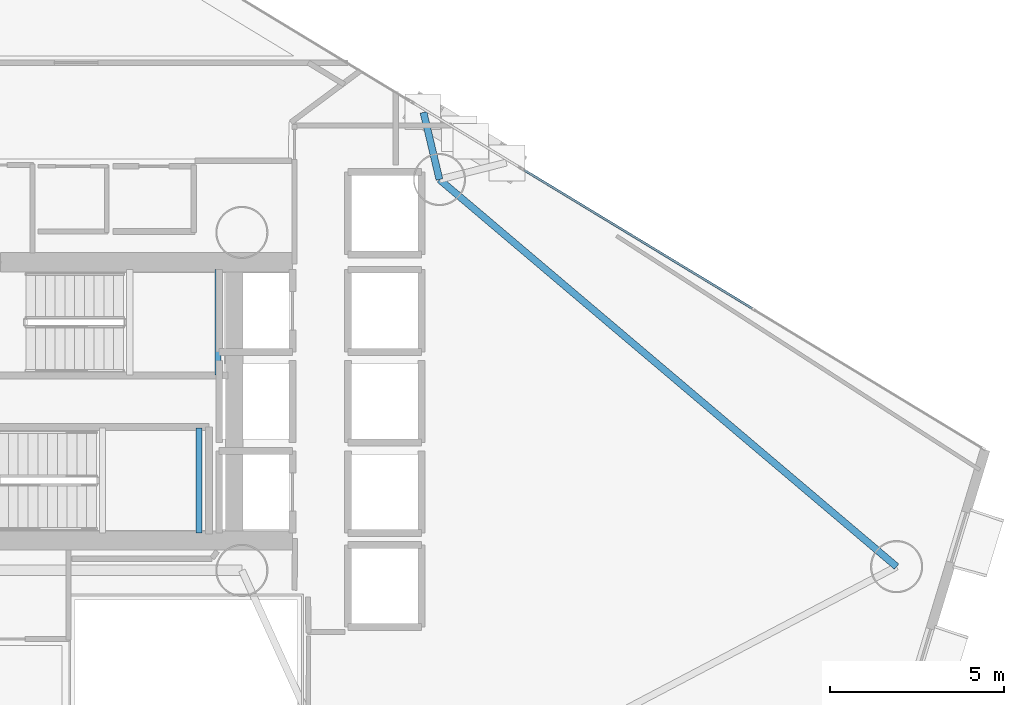
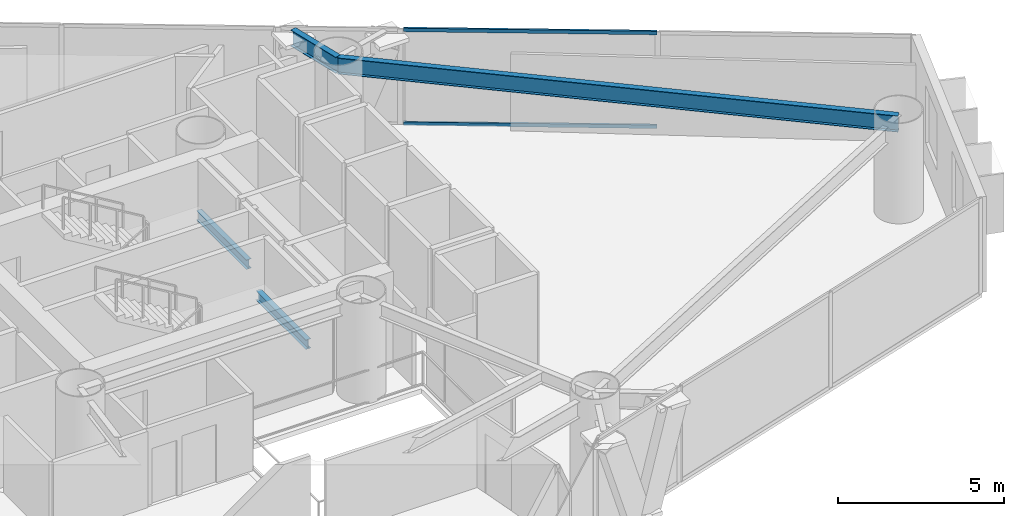
# One storey, part 9 of 18: 4 beams, 2 members, 1 element without a shape of its own.
"""IFC4 building model written with IfcOpenShell, lengths in metres."""

from ifc_helpers import new_model, si_unit, direction, frame, origin, origin_2d, place, context, subcontext, project, spatial, hollow_rectangle, i_section, extrude, material, layer, layer_set, material_profile, profile_set, type_object, element, aggregate, save


model = new_model("IFC4")

# Units and contexts
model_context = context("Model", 3, precision=1e-05, world=origin(), true_north=direction((0.0, 1.0)))
body_context = subcontext(model_context, "Body", "Model", "MODEL_VIEW")
ifc_project = project(units=[si_unit("LENGTHUNIT", "METRE"), si_unit("AREAUNIT", "SQUARE_METRE"), si_unit("VOLUMEUNIT", "CUBIC_METRE"), si_unit("PLANEANGLEUNIT", "RADIAN"), si_unit("MASSUNIT", "GRAM", prefix="KILO")], contexts=[model_context])

# Site, building, storey
site_placement = place(None, origin())
site = spatial("IfcSite", under=ifc_project, at=site_placement, CompositionType="ELEMENT")
building_placement = place(site_placement, origin())
building = spatial("IfcBuilding", under=site, at=building_placement, Name="Qianvela Tower", CompositionType="ELEMENT")
storey_placement = place(building_placement, frame((0.0, 0.0, 116.300048828125)))
storey = spatial("IfcBuildingStorey", under=building, at=storey_placement, Name="L29", CompositionType="ELEMENT", Elevation=116.300048828125)

# Beams
ifc_material_1 = material(Name="Steel Q355B", Category="steel")
ifc_material_profile_1 = material_profile(ifc_material_1, i_section(OverallWidth=0.175048828125, OverallDepth=0.35009765625, WebThickness=0.007080078125, FlangeThickness=0.010986328125, at=origin_2d()), Name="HN350x175x7x11")
ifc_profile_set_1 = profile_set([ifc_material_profile_1], Name="Steel Q355B")
beam_type_1 = type_object("IfcBeamType", Name="BM-HN350-JOIST", PredefinedType="JOIST", material=ifc_profile_set_1)
for number, where, z_axis, x_axis, name in (
    (1, (37.719970703125, 29.4599609375, 1.474853515625), (0.0, 1.0, 0.0), (-1.0, 0.0, 0.0), "L29 Stair ST-1 Landing Support Beam 1.2"),
    (2, (37.169921875, 24.919921875, 1.474853515625), (0.0, 1.0, 0.0), (-1.0, 0.0, 0.0), "L29 Stair ST-2 Landing Support Beam 1.2"),
):
    element("IfcBeam", number, at=place(storey_placement, frame(where, z_axis=z_axis, x_axis=x_axis)), inside=storey, type_object=beam_type_1, Name=name, PredefinedType="JOIST", context=body_context, shape_type="SweptSolid", body=[
        extrude(i_section(OverallWidth=0.175048828125, OverallDepth=0.35009765625, WebThickness=0.007080078125, FlangeThickness=0.010986328125, at=origin_2d()), origin(), (0.0, 0.0, 1.0), 3.02001953125),
    ])
ifc_material_2 = material(Name="Steel Q355B", Category="steel")
ifc_material_profile_2 = material_profile(ifc_material_2, i_section(OverallWidth=0.199951171875, OverallDepth=0.60009765625, WebThickness=0.010986328125, FlangeThickness=0.01708984375, at=origin_2d()), Name="HN600x200x11x17")
ifc_profile_set_2 = profile_set([ifc_material_profile_2], Name="Steel Q355B")
beam_type_2 = type_object("IfcBeamType", Name="BM-HN600-GIRD", PredefinedType="BEAM", material=ifc_profile_set_2)
beam_1_placement = place(storey_placement, frame((44.071044921875, 35.070068359375, 3.218017578125), z_axis=(-0.230865432061, 0.972985689658, 0.0), x_axis=(-0.972985689658, -0.230865432061, 0.0)))
element("IfcBeam", 3, at=beam_1_placement, inside=storey, type_object=beam_type_2, Name="L29 Mega-Brace Column Tie Bracket F1-2", PredefinedType="BEAM", context=body_context, shape_type="SweptSolid", body=[
    extrude(i_section(OverallWidth=0.199951171875, OverallDepth=0.60009765625, WebThickness=0.010986328125, FlangeThickness=0.01708984375, at=origin_2d()), origin(), (0.0, 0.0, 1.0), 1.981689453125),
])
beam_2_placement = place(storey_placement, frame((57.194091796875, 23.9580078125, 3.218017578125), z_axis=(-0.763158437154, 0.646211420358, 0.0), x_axis=(-0.646211420358, -0.763158437154, 0.0)))
element("IfcBeam", 4, at=beam_2_placement, inside=storey, type_object=beam_type_2, Name="L29 Perimeter Ring Spandrel Girder 1", PredefinedType="BEAM", context=body_context, shape_type="SweptSolid", body=[
    extrude(i_section(OverallWidth=0.199951171875, OverallDepth=0.60009765625, WebThickness=0.010986328125, FlangeThickness=0.01708984375, at=origin_2d()), origin(), (0.0, 0.0, 1.0), 17.19580078125),
])

# Curtain wall, members
ifc_material_3 = material(Name="Anodised Architectural Aluminium and Low-E Glass", Category="aluminium")
ifc_layer = layer(ifc_material_3, 0.169921875)
ifc_layer_set = layer_set([ifc_layer], Name="Anodised Architectural Aluminium and Low-E Glass")
curtain_wall_type = type_object("IfcCurtainWallType", Name="CW-COLIV-Z34", PredefinedType="USERDEFINED", material=ifc_layer_set)
curtain_wall_placement = place(storey_placement, origin())
curtain_wall = element("IfcCurtainWall", 5, at=curtain_wall_placement, inside=storey, type_object=curtain_wall_type, Name="L29 CW-COLIV-Z34 Curtain Wall 02A", ObjectType="CURTAIN_WALL_SYSTEM", PredefinedType="USERDEFINED")
ifc_material_4 = material(Name="Anodised Architectural Aluminium 6063-T6", Category="aluminium")
ifc_material_profile_3 = material_profile(ifc_material_4, hollow_rectangle(XDim=0.06494140625, YDim=0.1298828125, WallThickness=0.00439453125, at=origin_2d()), Name="ALU-TRAN-65x130")
ifc_profile_set_3 = profile_set([ifc_material_profile_3], Name="Anodised Architectural Aluminium 6063-T6")
member_type = type_object("IfcMemberType", Name="CW-COLIV-Z34-TRAN", PredefinedType="USERDEFINED", material=ifc_profile_set_3)
member_1_placement = place(storey_placement, frame((53.045166015625, 31.372314453125, 0.032470703125), z_axis=(-0.855052435445, 0.518541543793, 0.0), x_axis=(-0.518541543793, -0.855052435445, 0.0)))
member_1 = element("IfcMember", 6, at=member_1_placement, type_object=member_type, Name="CW-4 transom 2.1", ObjectType="TRANSOM", PredefinedType="USERDEFINED", context=body_context, shape_type="SweptSolid", body=[
    extrude(hollow_rectangle(XDim=0.06494140625, YDim=0.1298828125, WallThickness=0.00439453125, at=origin_2d()), origin(), (0.0, 0.0, 1.0), 7.6474609375),
])
member_2_placement = place(storey_placement, frame((53.045166015625, 31.372314453125, 3.487548828125), z_axis=(-0.855052435445, 0.518541543793, 0.0), x_axis=(-0.518541543793, -0.855052435445, 0.0)))
member_2 = element("IfcMember", 7, at=member_2_placement, type_object=member_type, Name="CW-4 transom 2.2", ObjectType="TRANSOM", PredefinedType="USERDEFINED", context=body_context, shape_type="SweptSolid", body=[
    extrude(hollow_rectangle(XDim=0.06494140625, YDim=0.1298828125, WallThickness=0.00439453125, at=origin_2d()), origin(), (0.0, 0.0, 1.0), 7.6474609375),
])
aggregate(curtain_wall, [member_1, member_2])

save(model, "model.ifc")
